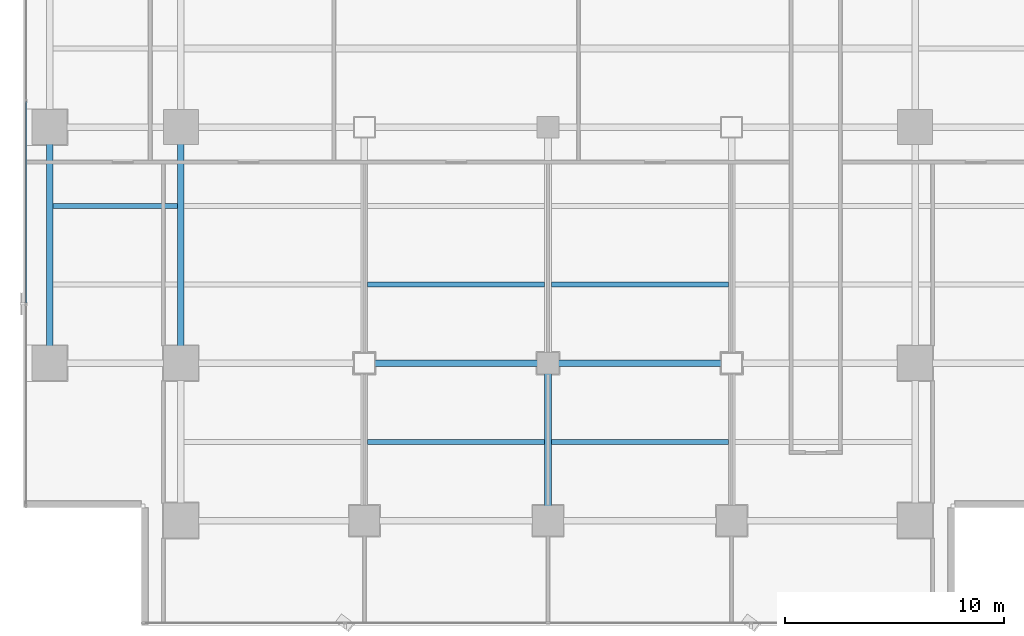
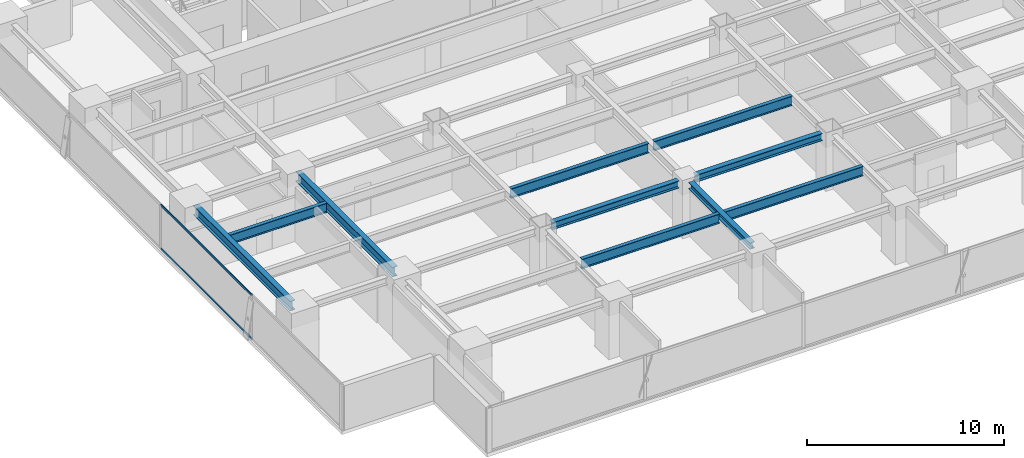
# One storey, part 6 of 28: 10 beams, 2 members, 1 element without a shape of its own.
"""IFC4 building model written with IfcOpenShell, lengths in metres."""

from ifc_helpers import new_model, si_unit, direction, frame, origin, origin_2d, place, context, subcontext, project, spatial, hollow_rectangle, i_section, extrude, source, transform, mapped, material, layer, layer_set, material_profile, profile_set, type_object, element, aggregate, save


model = new_model("IFC4")

# Units and contexts
model_context = context("Model", 3, precision=1e-05, world=origin(), true_north=direction((0.0, 1.0)))
body_context = subcontext(model_context, "Body", "Model", "MODEL_VIEW")
ifc_project = project(units=[si_unit("LENGTHUNIT", "METRE"), si_unit("AREAUNIT", "SQUARE_METRE"), si_unit("VOLUMEUNIT", "CUBIC_METRE"), si_unit("PLANEANGLEUNIT", "RADIAN"), si_unit("MASSUNIT", "GRAM", prefix="KILO")], contexts=[model_context])

# Site, building, storey
site_placement = place(None, origin())
site = spatial("IfcSite", under=ifc_project, at=site_placement, CompositionType="ELEMENT")
building_placement = place(site_placement, origin())
building = spatial("IfcBuilding", under=site, at=building_placement, Name="Sumidabori Civic Tower", CompositionType="ELEMENT")
storey_placement = place(building_placement, frame((0.0, 0.0, 153.199951171875)))
storey = spatial("IfcBuildingStorey", under=building, at=storey_placement, Name="L39", CompositionType="ELEMENT", Elevation=153.199951171875)

# Beams
ifc_material_1 = material(Name="Steel SN490", Category="steel")
ifc_material_profile_1 = material_profile(ifc_material_1, i_section(OverallWidth=0.300048828125, OverallDepth=0.39990234375, WebThickness=0.013427734375, FlangeThickness=0.02392578125, at=origin_2d()), Name="HE 400 B")
ifc_profile_set_1 = profile_set([ifc_material_profile_1], Name="Steel SN490")
beam_type_1 = type_object("IfcBeamType", Name="BM-GIRD-400", PredefinedType="BEAM", material=ifc_profile_set_1)
shared_shape_1 = source(origin(), body_context, "Body", "SweptSolid", [
    extrude(i_section(OverallWidth=0.300048828125, OverallDepth=0.39990234375, WebThickness=0.013427734375, FlangeThickness=0.02392578125, at=origin_2d()), origin(), (0.0, 0.0, 1.0), 6.239990234375),
])
beam_1_placement = place(storey_placement, frame((0.0, -17.52001953125, 3.179931640625), z_axis=(0.0, 1.0, 0.0), x_axis=(-1.0, 0.0, 0.0)))
element("IfcBeam", 1, at=beam_1_placement, inside=storey, type_object=beam_type_1, Name="Primary Girder L39 GY-28", PredefinedType="BEAM", context=body_context, shape_type="MappedRepresentation", body=[
    mapped(shared_shape_1, transform((0.0, 0.0, 0.0), x_axis=(1.0, 0.0, 0.0), y_axis=(0.0, 1.0, 0.0), z_axis=(0.0, 0.0, 1.0), scale=1.0)),
])
ifc_material_profile_2 = material_profile(ifc_material_1, i_section(OverallWidth=0.300048828125, OverallDepth=0.60009765625, WebThickness=0.015380859375, FlangeThickness=0.030029296875, at=origin_2d()), Name="HE 600 B")
ifc_profile_set_2 = profile_set([ifc_material_profile_2], Name="Steel SN490")
beam_type_2 = type_object("IfcBeamType", Name="BM-GIRD-600", PredefinedType="BEAM", material=ifc_profile_set_2)
shared_shape_2 = source(origin(), body_context, "Body", "SweptSolid", [
    extrude(i_section(OverallWidth=0.300048828125, OverallDepth=0.60009765625, WebThickness=0.015380859375, FlangeThickness=0.030029296875, at=origin_2d()), origin(), (0.0, 0.0, 1.0), 9.840087890625),
])
for number, where, z_axis, x_axis, name in (
    (2, (-22.800048828125, -10.320068359375, 3.080078125), (0.0, 1.0, 0.0), (-1.0, 0.0, 0.0), "Primary Girder L39 GY-19"),
    (3, (-16.800048828125, -10.320068359375, 3.080078125), (0.0, 1.0, 0.0), (-1.0, 0.0, 0.0), "Primary Girder L39 GY-23"),
):
    element("IfcBeam", number, at=place(storey_placement, frame(where, z_axis=z_axis, x_axis=x_axis)), inside=storey, type_object=beam_type_2, Name=name, PredefinedType="BEAM", context=body_context, shape_type="MappedRepresentation", body=[
        mapped(shared_shape_2, transform((0.0, 0.0, 0.0), x_axis=(1.0, 0.0, 0.0), y_axis=(0.0, 1.0, 0.0), z_axis=(0.0, 0.0, 1.0), scale=1.0)),
    ])
ifc_material_profile_3 = material_profile(ifc_material_1, i_section(OverallWidth=0.219970703125, OverallDepth=0.60009765625, WebThickness=0.011962890625, FlangeThickness=0.01904296875, at=origin_2d()), Name="IPE 600")
ifc_profile_set_3 = profile_set([ifc_material_profile_3], Name="Steel SN490")
beam_type_3 = type_object("IfcBeamType", Name="BM-JST-600", PredefinedType="JOIST", material=ifc_profile_set_3)
shared_shape_3 = source(origin(), body_context, "Body", "SweptSolid", [
    extrude(i_section(OverallWidth=0.219970703125, OverallDepth=0.60009765625, WebThickness=0.011962890625, FlangeThickness=0.01904296875, at=origin_2d()), origin(), (0.0, 0.0, 1.0), 5.699951171875),
])
beam_2_placement = place(storey_placement, frame((-22.64990234375, -3.60009765625, 3.080078125), z_axis=(1.0, 0.0, 0.0), x_axis=(0.0, 1.0, 0.0)))
element("IfcBeam", 4, at=beam_2_placement, inside=storey, type_object=beam_type_3, Name="Outer Bay Floor Joist L39 JSTO-41", PredefinedType="JOIST", context=body_context, shape_type="MappedRepresentation", body=[
    mapped(shared_shape_3, transform((0.0, 0.0, 0.0), x_axis=(1.0, 0.0, 0.0), y_axis=(0.0, 1.0, 0.0), z_axis=(0.0, 0.0, 1.0), scale=1.0)),
])
shared_shape_4 = source(origin(), body_context, "Body", "SweptSolid", [
    extrude(i_section(OverallWidth=0.219970703125, OverallDepth=0.60009765625, WebThickness=0.011962890625, FlangeThickness=0.01904296875, at=origin_2d()), origin(), (0.0, 0.0, 1.0), 8.10009765625),
])
for number, where, z_axis, x_axis, name in (
    (5, (-8.25, -14.39990234375, 3.080078125), (1.0, 0.0, 0.0), (0.0, 1.0, 0.0), "South Bay Floor Joist L39 JSTS-50"),
    (6, (0.14990234375, -14.39990234375, 3.080078125), (1.0, 0.0, 0.0), (0.0, 1.0, 0.0), "South Bay Floor Joist L39 JSTS-51"),
    (7, (-8.25, -7.199951171875, 3.080078125), (1.0, 0.0, 0.0), (0.0, 1.0, 0.0), "South Bay Floor Joist L39 JSTS-54"),
    (8, (0.14990234375, -7.199951171875, 3.080078125), (1.0, 0.0, 0.0), (0.0, 1.0, 0.0), "South Bay Floor Joist L39 JSTS-55"),
):
    element("IfcBeam", number, at=place(storey_placement, frame(where, z_axis=z_axis, x_axis=x_axis)), inside=storey, type_object=beam_type_3, Name=name, PredefinedType="JOIST", context=body_context, shape_type="MappedRepresentation", body=[
        mapped(shared_shape_4, transform((0.0, 0.0, 0.0), x_axis=(1.0, 0.0, 0.0), y_axis=(0.0, 1.0, 0.0), z_axis=(0.0, 0.0, 1.0), scale=1.0)),
    ])
ifc_material_profile_4 = material_profile(ifc_material_1, i_section(OverallWidth=0.300048828125, OverallDepth=0.449951171875, WebThickness=0.013916015625, FlangeThickness=0.02587890625, at=origin_2d()), Name="HE 450 B")
ifc_profile_set_4 = profile_set([ifc_material_profile_4], Name="Steel SN490")
beam_type_4 = type_object("IfcBeamType", Name="BM-GIRD-450", PredefinedType="BEAM", material=ifc_profile_set_4)
shared_shape_5 = source(origin(), body_context, "Body", "SweptSolid", [
    extrude(i_section(OverallWidth=0.300048828125, OverallDepth=0.449951171875, WebThickness=0.013916015625, FlangeThickness=0.02587890625, at=origin_2d()), origin(), (0.0, 0.0, 1.0), 7.43994140625),
])
for number, where, z_axis, x_axis, name in (
    (9, (-7.919921875, -10.800048828125, 3.155029296875), (1.0, 0.0, 0.0), (0.0, 1.0, 0.0), "Primary Girder L39 GX-07"),
    (10, (0.47998046875, -10.800048828125, 3.155029296875), (1.0, 0.0, 0.0), (0.0, 1.0, 0.0), "Primary Girder L39 GX-08"),
):
    element("IfcBeam", number, at=place(storey_placement, frame(where, z_axis=z_axis, x_axis=x_axis)), inside=storey, type_object=beam_type_4, Name=name, PredefinedType="BEAM", context=body_context, shape_type="MappedRepresentation", body=[
        mapped(shared_shape_5, transform((0.0, 0.0, 0.0), x_axis=(1.0, 0.0, 0.0), y_axis=(0.0, 1.0, 0.0), z_axis=(0.0, 0.0, 1.0), scale=1.0)),
    ])

# Curtain wall, members
ifc_material_2 = material(Name="Anodised Bronze Aluminium AW-6063-T6", Category="aluminium")
ifc_layer = layer(ifc_material_2, 0.179931640625, Name="Anodised Bronze Aluminium AW-6063-T6")
ifc_layer_set = layer_set([ifc_layer], Name="Anodised Bronze Aluminium AW-6063-T6")
curtain_wall_type = type_object("IfcCurtainWallType", Name="CW-SYS-3", PredefinedType="NOTDEFINED", material=ifc_layer_set)
curtain_wall_placement = place(storey_placement, origin())
curtain_wall = element("IfcCurtainWall", 11, at=curtain_wall_placement, inside=storey, type_object=curtain_wall_type, Name="Curtain Wall CW:L39:R10", PredefinedType="NOTDEFINED")
ifc_material_profile_5 = material_profile(ifc_material_2, hollow_rectangle(XDim=0.06005859375, YDim=0.1298828125, WallThickness=0.0048828125, at=origin_2d()), Name="ALU TRANSOM 130x60")
ifc_profile_set_5 = profile_set([ifc_material_profile_5], Name="Anodised Bronze Aluminium AW-6063-T6")
member_type = type_object("IfcMemberType", Name="CW-TRN-130", PredefinedType="USERDEFINED", material=ifc_profile_set_5)
shared_shape_6 = source(origin(), body_context, "Body", "SweptSolid", [
    extrude(hollow_rectangle(XDim=0.06005859375, YDim=0.1298828125, WallThickness=0.0048828125, at=origin_2d()), origin(), (0.0, 0.0, 1.0), 9.219970703125),
])
member_1_placement = place(storey_placement, frame((-23.8798828125, 1.16748046875, 0.030029296875), z_axis=(0.0, -1.0, 0.0), x_axis=(1.0, 0.0, 0.0)))
member_1 = element("IfcMember", 12, at=member_1_placement, type_object=member_type, Name="CW-3 transom 3.1", ObjectType="TRANSOM", PredefinedType="USERDEFINED", context=body_context, shape_type="MappedRepresentation", body=[
    mapped(shared_shape_6, transform((0.0, 0.0, 0.0), x_axis=(1.0, 0.0, 0.0), y_axis=(0.0, 1.0, 0.0), z_axis=(0.0, 0.0, 1.0), scale=1.0)),
])
member_2_placement = place(storey_placement, frame((-23.8798828125, 1.16748046875, 2.72998046875), z_axis=(0.0, -1.0, 0.0), x_axis=(1.0, 0.0, 0.0)))
member_2 = element("IfcMember", 13, at=member_2_placement, type_object=member_type, Name="CW-3 transom 3.2", ObjectType="TRANSOM", PredefinedType="USERDEFINED", context=body_context, shape_type="MappedRepresentation", body=[
    mapped(shared_shape_6, transform((0.0, 0.0, 0.0), x_axis=(1.0, 0.0, 0.0), y_axis=(0.0, 1.0, 0.0), z_axis=(0.0, 0.0, 1.0), scale=1.0)),
])
aggregate(curtain_wall, [member_1, member_2])

save(model, "model.ifc")
